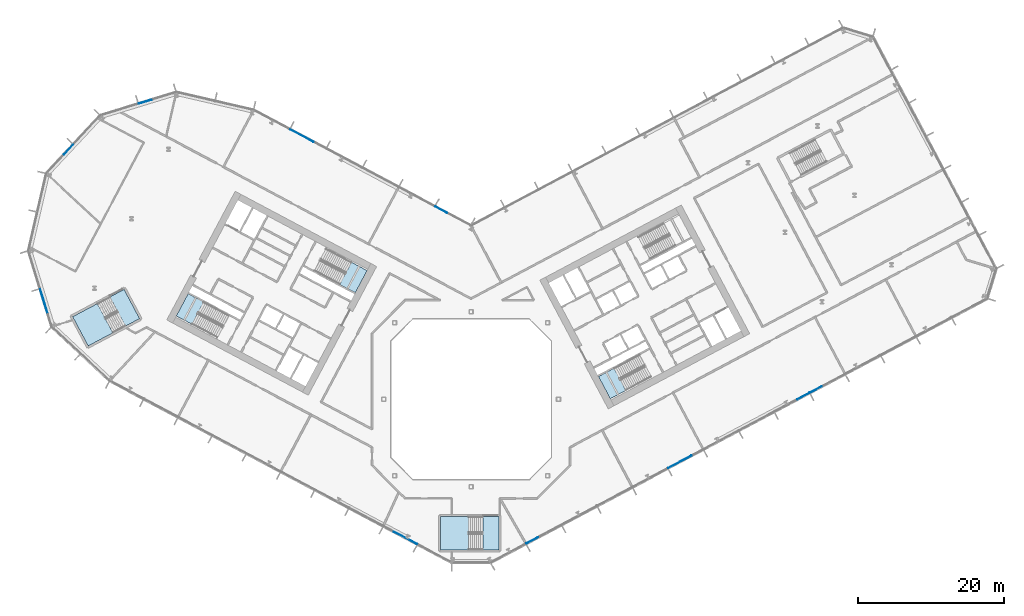
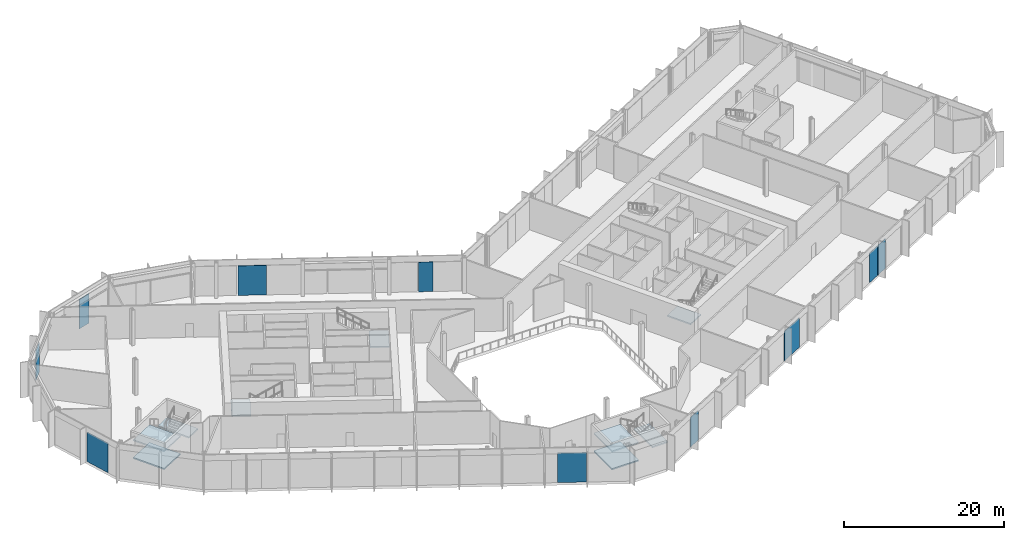
# One storey, part 9 of 31: 10 plates, 9 slabs, 11 elements without a shape of their own.
"""IFC4 building model written with IfcOpenShell, lengths in metres."""

import ifcopenshell
import ifcopenshell.guid

model = None  # the IFC model being written
_history = None  # IfcOwnerHistory: only IFC2X3 demands one
_inside = {}  # id of a spatial element -> (the spatial element, [elements in it])
_under = {}  # id of a project, library or spatial element -> (it, [spatial elements below it])
_declared = {}  # id of a project -> (the project, [libraries it declares])
_typed = {}  # id of a type object -> (the type object, [elements of that type])
_made_of = {}  # id of a material, layer set ... -> (it, [elements and type objects made of it])


def new_model(schema):
    """Start an empty IFC model of exactly this schema.

    Asked for "IFC4X3", IfcOpenShell would pick the latest addendum, in which some entities
    have other attributes; the version numbers below select the first issue.
    IFC2X3 requires an IfcOwnerHistory on every rooted entity: one is made here for all.
    """
    global model, _history
    if schema == "IFC4X3":
        model = ifcopenshell.file(schema_version=(4, 3, 0, 0))
    else:
        model = ifcopenshell.file(schema=schema)
    _inside.clear()
    _under.clear()
    _declared.clear()
    _typed.clear()
    _made_of.clear()
    _history = None
    if model.schema == "IFC2X3":
        org = make("IfcOrganization", Name="unknown")
        user = make(
            "IfcPersonAndOrganization",
            ThePerson=make("IfcPerson", FamilyName="unknown"),
            TheOrganization=org,
        )
        app = make(
            "IfcApplication",
            ApplicationDeveloper=org,
            Version="unknown",
            ApplicationFullName="unknown",
            ApplicationIdentifier="unknown",
        )
        _history = make(
            "IfcOwnerHistory",
            OwningUser=user,
            OwningApplication=app,
            ChangeAction="ADDED",
            CreationDate=0,
        )
    return model


def make(cls, **values):
    """One entity of the class cls with the attributes given. An attribute that is None is left unset."""
    return model.create_entity(
        cls, **{name: value for name, value in values.items() if value is not None}
    )


def rooted(cls, **values):
    """An entity with a GlobalId (a new one), such as an element, a storey or a relation."""
    return make(cls, GlobalId=ifcopenshell.guid.new(), OwnerHistory=_history, **values)


def si_unit(unit_type, name, prefix=None):
    """IfcSIUnit, for example si_unit("LENGTHUNIT", "METRE", prefix="MILLI")."""
    return make("IfcSIUnit", UnitType=unit_type, Prefix=prefix, Name=name)


def assignment(units):
    """IfcUnitAssignment: the units of a project."""
    return None if units is None else make("IfcUnitAssignment", Units=units)


def point(xyz):
    """IfcCartesianPoint."""
    return None if xyz is None else make("IfcCartesianPoint", Coordinates=xyz)


def direction(xyz):
    """IfcDirection."""
    return None if xyz is None else make("IfcDirection", DirectionRatios=xyz)


def frame(location, z_axis=None, x_axis=None):
    """IfcAxis2Placement3D, a coordinate frame: its origin and axes. An axis left out is left unset."""
    return make(
        "IfcAxis2Placement3D",
        Location=point(location),
        Axis=direction(z_axis),
        RefDirection=direction(x_axis),
    )


def frame_2d(location, x_axis=None):
    """IfcAxis2Placement2D, a coordinate frame in the plane: its origin and x axis."""
    return make(
        "IfcAxis2Placement2D", Location=point(location), RefDirection=direction(x_axis)
    )


def origin():
    """The frame at (0, 0, 0) with its axes left unset."""
    return frame((0.0, 0.0, 0.0))


def origin_2d():
    """The frame at (0, 0) in the plane with its x axis left unset."""
    return frame_2d((0.0, 0.0))


def place(relative_to, where):
    """IfcLocalPlacement: puts the frame where relative to a parent placement (None: the world)."""
    return make(
        "IfcLocalPlacement", PlacementRelTo=relative_to, RelativePlacement=where
    )


def context(
    kind, dimensions, precision=None, world=None, true_north=None, identifier=None
):
    """IfcGeometricRepresentationContext, for example the 3D "Model" context."""
    return make(
        "IfcGeometricRepresentationContext",
        ContextIdentifier=identifier,
        ContextType=kind,
        CoordinateSpaceDimension=dimensions,
        Precision=precision,
        WorldCoordinateSystem=world,
        TrueNorth=true_north,
    )


def subcontext(parent, identifier, kind, view, scale=None):
    """IfcGeometricRepresentationSubContext, for example "Body" below "Model"."""
    return make(
        "IfcGeometricRepresentationSubContext",
        ContextIdentifier=identifier,
        ContextType=kind,
        ParentContext=parent,
        TargetScale=scale,
        TargetView=view,
    )


def project(units=None, contexts=None):
    """IfcProject with its units and contexts."""
    return rooted(
        "IfcProject",
        Name="project",
        RepresentationContexts=contexts,
        UnitsInContext=assignment(units),
    )


def spatial(cls, under=None, at=None, **own):
    """A site, building, storey or space (cls), placed at a placement, below another one or the project."""
    s = rooted(cls, ObjectPlacement=at, **own)
    if under is not None:
        _under.setdefault(under.id(), (under, []))[1].append(s)
    return s


def polyline(points):
    """IfcPolyline through the points."""
    return make("IfcPolyline", Points=[point(p) for p in points])


def profile(cls, at=None, kind="AREA", **sizes):
    """A parametric profile (cls). Its sizes go by their IFC names, for example OverallWidth=200.0."""
    return make(cls, ProfileType=kind, Position=at, **sizes)


def rectangle(**sizes):
    """IfcRectangleProfileDef."""
    return profile("IfcRectangleProfileDef", **sizes)


def outline(outer, holes=None, kind="AREA"):
    """IfcArbitraryClosedProfileDef: a profile drawn as a closed curve; with holes, ...WithVoids."""
    if holes is None:
        return make("IfcArbitraryClosedProfileDef", ProfileType=kind, OuterCurve=outer)
    return make(
        "IfcArbitraryProfileDefWithVoids",
        ProfileType=kind,
        OuterCurve=outer,
        InnerCurves=holes,
    )


def extrude(swept, where, along, depth):
    """IfcExtrudedAreaSolid: the profile swept, set in the frame where, extruded along a direction by depth."""
    return make(
        "IfcExtrudedAreaSolid",
        SweptArea=swept,
        Position=where,
        ExtrudedDirection=direction(along),
        Depth=depth,
    )


def shape(context_of_items, identifier, shape_type, items):
    """IfcShapeRepresentation: the items that make up one representation, for example the "Body"."""
    return make(
        "IfcShapeRepresentation",
        ContextOfItems=context_of_items,
        RepresentationIdentifier=identifier,
        RepresentationType=shape_type,
        Items=items,
    )


def material(Name=None, Category=None):
    """IfcMaterial."""
    return make("IfcMaterial", Name=Name, Category=Category)


def layer(
    of_material, thickness, ventilated=None, Name=None, Category=None, Priority=None
):
    """IfcMaterialLayer: one layer of a wall or slab, of a material (None: an air gap)."""
    return make(
        "IfcMaterialLayer",
        Material=of_material,
        LayerThickness=thickness,
        IsVentilated=ventilated,
        Name=Name,
        Category=Category,
        Priority=Priority,
    )


def layer_set(layers, Name=None):
    """IfcMaterialLayerSet."""
    return make("IfcMaterialLayerSet", MaterialLayers=layers, LayerSetName=Name)


def made_of(thing, what):
    """Note that an element or type object is made of a material, layer set ...; save() writes the relation."""
    if what is not None:
        _made_of.setdefault(what.id(), (what, []))[1].append(thing)
    return thing


def type_object(cls, material=None, **own):
    """A type object (cls), such as IfcWallType, which elements share."""
    return made_of(rooted(cls, **own), material)


def element(
    cls,
    number,
    at=None,
    inside=None,
    cuts=None,
    type_object=None,
    material=None,
    context=None,
    identifier="Body",
    shape_type=None,
    held_by="IfcProductDefinitionShape",
    body=None,
    shapes=None,
    **own,
):
    """One element of the class cls, such as IfcWall. Its Tag is "e" and its number.

    at: its placement. inside: the storey or other place that contains it. cuts: it is an
    opening in that element (IfcRelVoidsElement). A single representation is given by context,
    identifier, shape_type and body (its items); several are given by shapes. held_by: the class
    of the entity that holds the representations. save() writes the other relations.
    """
    e = rooted(cls, Tag="e%d" % number, ObjectPlacement=at, **own)
    if body is not None:
        shapes = [shape(context, identifier, shape_type, body)]
    if shapes is not None:
        e.Representation = make(held_by, Representations=shapes)
    if inside is not None:
        _inside.setdefault(inside.id(), (inside, []))[1].append(e)
    if cuts is not None:
        rooted(
            "IfcRelVoidsElement", RelatingBuildingElement=cuts, RelatedOpeningElement=e
        )
    if type_object is not None:
        _typed.setdefault(type_object.id(), (type_object, []))[1].append(e)
    return made_of(e, material)


def aggregate(whole, parts):
    """IfcRelAggregates: a whole, such as a stair, and the parts it consists of."""
    return rooted("IfcRelAggregates", RelatingObject=whole, RelatedObjects=parts)


def save(model, path):
    """Write the relations noted so far, then the file.

    IfcRelAggregates (storeys below a building ...), IfcRelContainedInSpatialStructure (elements
    in a storey), IfcRelDefinesByType, IfcRelAssociatesMaterial and IfcRelDeclares: one each for
    every whole, place, type object, material and project.
    """
    for whole, parts in _under.values():
        aggregate(whole, parts)
    for where, things in _inside.values():
        rooted(
            "IfcRelContainedInSpatialStructure",
            RelatedElements=things,
            RelatingStructure=where,
        )
    for kind, things in _typed.values():
        rooted("IfcRelDefinesByType", RelatedObjects=things, RelatingType=kind)
    for what, things in _made_of.values():
        rooted("IfcRelAssociatesMaterial", RelatedObjects=things, RelatingMaterial=what)
    for by, libraries in _declared.values():
        rooted("IfcRelDeclares", RelatingContext=by, RelatedDefinitions=libraries)
    model.write(path)


model = new_model("IFC4")

# Units and contexts
model_context = context("Model", 3, precision=1e-05, world=origin(), true_north=direction((0.0, 1.0)))
body_context = subcontext(model_context, "Body", "Model", "MODEL_VIEW")
ifc_project = project(units=[si_unit("LENGTHUNIT", "METRE"), si_unit("AREAUNIT", "SQUARE_METRE"), si_unit("VOLUMEUNIT", "CUBIC_METRE"), si_unit("PLANEANGLEUNIT", "RADIAN"), si_unit("MASSUNIT", "GRAM", prefix="KILO")], contexts=[model_context])

# Site, building, storey
site_placement = place(None, origin())
site = spatial("IfcSite", under=ifc_project, at=site_placement, CompositionType="ELEMENT")
building_placement = place(site_placement, origin())
building = spatial("IfcBuilding", under=site, at=building_placement, Name="Cormorant Relay Tower", CompositionType="ELEMENT")
storey_placement = place(building_placement, frame((0.0, 0.0, 33.800048828125)))
storey = spatial("IfcBuildingStorey", under=building, at=storey_placement, Name="L06", CompositionType="ELEMENT", Elevation=33.800048828125)

# Curtain wall, plates
ifc_material_1 = material(Name="Aluminium 6063-T6 anodised bronze", Category="aluminium")
ifc_layer_1 = layer(ifc_material_1, 0.235107421875)
ifc_layer_set_1 = layer_set([ifc_layer_1], Name="CW6 data hall curtain wall with mineral wool panels")
curtain_wall_type = type_object("IfcCurtainWallType", Name="CW6 data hall curtain wall with mineral wool panels", PredefinedType="NOTDEFINED", material=ifc_layer_set_1)
curtain_wall_1_placement = place(storey_placement, origin())
curtain_wall_1 = element("IfcCurtainWall", 1, at=curtain_wall_1_placement, inside=storey, type_object=curtain_wall_type, Name="CW6 curtain wall 2", PredefinedType="NOTDEFINED")
ifc_material_2 = material(Name="Tinted triple-glazed laminated unit")
ifc_layer_2 = layer(ifc_material_2, 0.074951171875)
ifc_layer_set_2 = layer_set([ifc_layer_2], Name="CW6 triple-glazed vision unit 1800 module")
plate_type_1 = type_object("IfcPlateType", Name="CW6 triple-glazed vision unit 1800 module", PredefinedType="CURTAIN_PANEL", material=ifc_layer_set_2)
plate_1_placement = place(storey_placement, frame((8.39404296875, -19.36328125, 0.0), z_axis=(0.0, 0.0, 1.0), x_axis=(0.882947592859, 0.469471562786, 0.0)))
plate_1 = element("IfcPlate", 2, at=plate_1_placement, type_object=plate_type_1, Name="CW6 panel V01", PredefinedType="CURTAIN_PANEL", context=body_context, shape_type="SweptSolid", body=[
    extrude(rectangle(XDim=1.800048828125, YDim=0.074951171875, at=origin_2d()), origin(), (0.0, 0.0, 1.0), 4.5),
])
plate_2_placement = place(storey_placement, frame((45.605712890625, 0.422607421875, 0.0), z_axis=(0.0, 0.0, 1.0), x_axis=(0.882947592859, 0.469471562786, 0.0)))
plate_2 = element("IfcPlate", 3, at=plate_2_placement, type_object=plate_type_1, Name="CW6 panel V08", PredefinedType="CURTAIN_PANEL", context=body_context, shape_type="SweptSolid", body=[
    extrude(rectangle(XDim=1.800048828125, YDim=0.074951171875, at=origin_2d()), origin(), (0.0, 0.0, 1.0), 4.5),
])
plate_3_placement = place(storey_placement, frame((47.327392578125, 1.337890625, 0.0), z_axis=(0.0, 0.0, 1.0), x_axis=(0.882947592859, 0.469471562786, 0.0)))
plate_3 = element("IfcPlate", 4, at=plate_3_placement, type_object=plate_type_1, Name="CW6 panel V09", PredefinedType="CURTAIN_PANEL", context=body_context, shape_type="SweptSolid", body=[
    extrude(rectangle(XDim=1.800048828125, YDim=0.074951171875, at=origin_2d()), origin(), (0.0, 0.0, 1.0), 4.5),
])

# Curtain wall, plate
curtain_wall_2_placement = place(storey_placement, origin())
curtain_wall_2 = element("IfcCurtainWall", 5, at=curtain_wall_2_placement, inside=storey, type_object=curtain_wall_type, Name="CW6 curtain wall 7", PredefinedType="NOTDEFINED")
plate_4_placement = place(storey_placement, frame((-4.1005859375, 26.006591796875, 0.0), z_axis=(0.0, 0.0, 1.0), x_axis=(-0.882947592859, 0.469471562786, 0.0)))
plate_4 = element("IfcPlate", 6, at=plate_4_placement, type_object=plate_type_1, Name="CW6 panel V01", PredefinedType="CURTAIN_PANEL", context=body_context, shape_type="SweptSolid", body=[
    extrude(rectangle(XDim=1.800048828125, YDim=0.074951171875, at=origin_2d()), origin(), (0.0, 0.0, 1.0), 4.5),
])

curtain_wall_3_placement = place(storey_placement, origin())
curtain_wall_3 = element("IfcCurtainWall", 7, at=curtain_wall_3_placement, inside=storey, type_object=curtain_wall_type, Name="CW6 curtain wall 9", PredefinedType="NOTDEFINED")
plate_5_placement = place(storey_placement, frame((-44.74169921875, 40.84521484375, 0.0), z_axis=(0.0, 0.0, 1.0), x_axis=(-0.956304755963, -0.292371704723, 0.0)))
plate_5 = element("IfcPlate", 8, at=plate_5_placement, type_object=plate_type_1, Name="CW6 panel V01", PredefinedType="CURTAIN_PANEL", context=body_context, shape_type="SweptSolid", body=[
    extrude(rectangle(XDim=1.800048828125, YDim=0.074951171875, at=origin_2d()), origin(), (0.0, 0.0, 1.0), 4.5),
])
aggregate(curtain_wall_3, [plate_5])

curtain_wall_4_placement = place(storey_placement, origin())
curtain_wall_4 = element("IfcCurtainWall", 9, at=curtain_wall_4_placement, inside=storey, type_object=curtain_wall_type, Name="CW6 curtain wall 10", PredefinedType="NOTDEFINED")
plate_6_placement = place(storey_placement, frame((-55.260009765625, 34.272705078125, 0.0), z_axis=(0.0, 0.0, 1.0), x_axis=(-0.681998360062, -0.731353701619, 0.0)))
plate_6 = element("IfcPlate", 10, at=plate_6_placement, type_object=plate_type_1, Name="CW6 panel V01", PredefinedType="CURTAIN_PANEL", context=body_context, shape_type="SweptSolid", body=[
    extrude(rectangle(XDim=1.800048828125, YDim=0.074951171875, at=origin_2d()), origin(), (0.0, 0.0, 1.0), 4.5),
])
aggregate(curtain_wall_4, [plate_6])

# Plate
ifc_material_3 = material(Name="Tinted triple-glazed laminated unit")
ifc_layer_3 = layer(ifc_material_3, 0.074951171875)
ifc_layer_set_3 = layer_set([ifc_layer_3], Name="CW6 triple-glazed vision unit 3600 module")
plate_type_2 = type_object("IfcPlateType", Name="CW6 triple-glazed vision unit 3600 module", PredefinedType="CURTAIN_PANEL", material=ifc_layer_set_3)
plate_7_placement = place(storey_placement, frame((28.6552734375, -8.590087890625, 0.0), z_axis=(0.0, 0.0, 1.0), x_axis=(0.882947592859, 0.469471562786, 0.0)))
plate_7 = element("IfcPlate", 11, at=plate_7_placement, type_object=plate_type_2, Name="CW6 panel V05", PredefinedType="CURTAIN_PANEL", context=body_context, shape_type="SweptSolid", body=[
    extrude(rectangle(XDim=3.60009765625, YDim=0.074951171875, at=origin_2d()), origin(), (0.0, 0.0, 1.0), 4.5),
])

aggregate(curtain_wall_1, [plate_1, plate_7, plate_2, plate_3])

plate_8_placement = place(storey_placement, frame((-23.2216796875, 36.173583984375, 0.0), z_axis=(0.0, 0.0, 1.0), x_axis=(-0.882947592859, 0.469471562786, 0.0)))
plate_8 = element("IfcPlate", 12, at=plate_8_placement, type_object=plate_type_2, Name="CW6 panel V05", PredefinedType="CURTAIN_PANEL", context=body_context, shape_type="SweptSolid", body=[
    extrude(rectangle(XDim=3.60009765625, YDim=0.074951171875, at=origin_2d()), origin(), (0.0, 0.0, 1.0), 4.5),
])

aggregate(curtain_wall_2, [plate_4, plate_8])

# Curtain wall, plate
curtain_wall_5_placement = place(storey_placement, origin())
curtain_wall_5 = element("IfcCurtainWall", 13, at=curtain_wall_5_placement, inside=storey, type_object=curtain_wall_type, Name="CW6 curtain wall 12", PredefinedType="NOTDEFINED")
plate_9_placement = place(storey_placement, frame((-58.618408203125, 13.3916015625, 0.0), z_axis=(0.0, 0.0, 1.0), x_axis=(0.292371704723, -0.956304755963, 0.0)))
plate_9 = element("IfcPlate", 14, at=plate_9_placement, type_object=plate_type_2, Name="CW6 panel V01", PredefinedType="CURTAIN_PANEL", context=body_context, shape_type="SweptSolid", body=[
    extrude(rectangle(XDim=3.60009765625, YDim=0.074951171875, at=origin_2d()), origin(), (0.0, 0.0, 1.0), 4.5),
])
aggregate(curtain_wall_5, [plate_9])

curtain_wall_6_placement = place(storey_placement, origin())
curtain_wall_6 = element("IfcCurtainWall", 15, at=curtain_wall_6_placement, inside=storey, type_object=curtain_wall_type, Name="CW6 curtain wall 14", PredefinedType="NOTDEFINED")
plate_10_placement = place(storey_placement, frame((-9.01611328125, -19.032470703125, 0.0), z_axis=(0.0, 0.0, 1.0), x_axis=(0.882947592859, -0.469471562786, 0.0)))
plate_10 = element("IfcPlate", 16, at=plate_10_placement, type_object=plate_type_2, Name="CW6 panel V08", PredefinedType="CURTAIN_PANEL", context=body_context, shape_type="SweptSolid", body=[
    extrude(rectangle(XDim=3.60009765625, YDim=0.074951171875, at=origin_2d()), origin(), (0.0, 0.0, 1.0), 4.5),
])
aggregate(curtain_wall_6, [plate_10])

# Stair, slab
ifc_material_4 = material(Name="Concrete 40 MPa", Category="concrete")
stair_type_1 = type_object("IfcStairType", Name="Exit stair 1500", PredefinedType="HALF_TURN_STAIR", material=ifc_material_4)
stair_1_placement = place(storey_placement, origin())
stair_1 = element("IfcStair", 17, at=stair_1_placement, inside=storey, type_object=stair_type_1, Name="L06 Stair", PredefinedType="HALF_TURN_STAIR")
ifc_material_5 = material(Name="Concrete 40 MPa", Category="concrete")
ifc_layer_4 = layer(ifc_material_5, 0.199951171875)
ifc_layer_set_4 = layer_set([ifc_layer_4], Name="Exit stair landing 200")
slab_type = type_object("IfcSlabType", Name="Exit stair landing 200", PredefinedType="LANDING", material=ifc_layer_set_4)
slab_1_placement = place(storey_placement, frame((0.0, 0.0, 2.5)))
slab_1 = element("IfcSlab", 18, at=slab_1_placement, type_object=slab_type, Name="A1 landing 1", PredefinedType="LANDING", context=body_context, shape_type="SweptSolid", body=[
    extrude(outline(polyline([(-18.04052734375, 15.764892578125), (-15.89501953125, 14.6240234375), (-14.275390625, 17.670166015625), (-16.4208984375, 18.81103515625), (-18.04052734375, 15.764892578125)])), origin(), (0.0, 0.0, 1.0), 0.199951171875),
])
aggregate(stair_1, [slab_1])

stair_2_placement = place(storey_placement, origin())
stair_2 = element("IfcStair", 19, at=stair_2_placement, inside=storey, type_object=stair_type_1, Name="L06 Stair", PredefinedType="HALF_TURN_STAIR")
slab_2_placement = place(storey_placement, frame((0.0, 0.0, 2.5)))
slab_2 = element("IfcSlab", 20, at=slab_2_placement, type_object=slab_type, Name="A2 landing 1", PredefinedType="LANDING", context=body_context, shape_type="SweptSolid", body=[
    extrude(outline(polyline([(-36.7021484375, 13.34228515625), (-38.84765625, 14.483154296875), (-40.467529296875, 11.43701171875), (-38.32177734375, 10.296142578125), (-36.7021484375, 13.34228515625)])), origin(), (0.0, 0.0, 1.0), 0.199951171875),
])
aggregate(stair_2, [slab_2])

stair_3_placement = place(storey_placement, origin())
stair_3 = element("IfcStair", 21, at=stair_3_placement, inside=storey, type_object=stair_type_1, Name="L06 Stair", PredefinedType="HALF_TURN_STAIR")
slab_3_placement = place(storey_placement, frame((0.0, 0.0, 2.5)))
slab_3 = element("IfcSlab", 22, at=slab_3_placement, type_object=slab_type, Name="B1 landing 1", PredefinedType="LANDING", context=body_context, shape_type="SweptSolid", body=[
    extrude(outline(polyline([(19.6259765625, 4.262939453125), (17.48046875, 3.1220703125), (19.10009765625, 0.075927734375), (21.24560546875, 1.216552734375), (19.6259765625, 4.262939453125)])), origin(), (0.0, 0.0, 1.0), 0.199951171875),
])
aggregate(stair_3, [slab_3])

# Stair, slabs
ifc_material_6 = material(Name="Concrete 40 MPa", Category="concrete")
stair_type_2 = type_object("IfcStairType", Name="Remote exit stair 2200", PredefinedType="HALF_TURN_STAIR", material=ifc_material_6)
stair_4_placement = place(storey_placement, origin())
stair_4 = element("IfcStair", 23, at=stair_4_placement, inside=storey, type_object=stair_type_2, Name="L06 Stair", PredefinedType="HALF_TURN_STAIR")
slab_4_placement = place(storey_placement, frame((0.0, 0.0, 1.14990234375)))
slab_4 = element("IfcSlab", 24, at=slab_4_placement, type_object=slab_type, Name="RK1 landing 1", PredefinedType="LANDING", context=body_context, shape_type="SweptSolid", body=[
    extrude(outline(polyline([(-0.360107421875, -16.125), (-4.199951171875, -16.125), (-4.199951171875, -20.675048828125), (-0.360107421875, -20.675048828125), (-0.360107421875, -16.125)])), origin(), (0.0, 0.0, 1.0), 0.199951171875),
])
slab_5_placement = place(storey_placement, frame((0.0, 0.0, 2.5)))
slab_5 = element("IfcSlab", 25, at=slab_5_placement, type_object=slab_type, Name="RK1 landing 2", PredefinedType="LANDING", context=body_context, shape_type="SweptSolid", body=[
    extrude(outline(polyline([(3.800048828125, -16.125), (1.60009765625, -16.125), (1.60009765625, -20.675048828125), (3.800048828125, -20.675048828125), (3.800048828125, -16.125)])), origin(), (0.0, 0.0, 1.0), 0.199951171875),
])
slab_6_placement = place(storey_placement, frame((0.0, 0.0, 3.849853515625)))
slab_6 = element("IfcSlab", 26, at=slab_6_placement, type_object=slab_type, Name="RK1 landing 3", PredefinedType="LANDING", context=body_context, shape_type="SweptSolid", body=[
    extrude(outline(polyline([(-0.360107421875, -16.125), (-4.199951171875, -16.125), (-4.199951171875, -20.675048828125), (-0.360107421875, -20.675048828125), (-0.360107421875, -16.125)])), origin(), (0.0, 0.0, 1.0), 0.2001953125),
])
aggregate(stair_4, [slab_4, slab_5, slab_6])

stair_5_placement = place(storey_placement, origin())
stair_5 = element("IfcStair", 27, at=stair_5_placement, inside=storey, type_object=stair_type_2, Name="L06 Stair", PredefinedType="HALF_TURN_STAIR")
slab_7_placement = place(storey_placement, frame((0.0, 0.0, 1.14990234375)))
slab_7 = element("IfcSlab", 28, at=slab_7_placement, type_object=slab_type, Name="RP1 landing 1", PredefinedType="LANDING", context=body_context, shape_type="SweptSolid", body=[
    extrude(outline(polyline([(-51.309326171875, 13.133544921875), (-54.699951171875, 11.330810546875), (-52.563720703125, 7.3134765625), (-49.17333984375, 9.1162109375), (-51.309326171875, 13.133544921875)])), origin(), (0.0, 0.0, 1.0), 0.199951171875),
])
slab_8_placement = place(storey_placement, frame((0.0, 0.0, 2.5)))
slab_8 = element("IfcSlab", 29, at=slab_8_placement, type_object=slab_type, Name="RP1 landing 2", PredefinedType="LANDING", context=body_context, shape_type="SweptSolid", body=[
    extrude(outline(polyline([(-47.63623046875, 15.086669921875), (-49.578857421875, 14.0537109375), (-47.442626953125, 10.036376953125), (-45.500244140625, 11.069091796875), (-47.63623046875, 15.086669921875)])), origin(), (0.0, 0.0, 1.0), 0.199951171875),
])
slab_9_placement = place(storey_placement, frame((0.0, 0.0, 3.849853515625)))
slab_9 = element("IfcSlab", 30, at=slab_9_placement, type_object=slab_type, Name="RP1 landing 3", PredefinedType="LANDING", context=body_context, shape_type="SweptSolid", body=[
    extrude(outline(polyline([(-51.309326171875, 13.133544921875), (-54.699951171875, 11.330810546875), (-52.563720703125, 7.3134765625), (-49.17333984375, 9.1162109375), (-51.309326171875, 13.133544921875)])), origin(), (0.0, 0.0, 1.0), 0.2001953125),
])
aggregate(stair_5, [slab_7, slab_8, slab_9])

save(model, "model.ifc")
